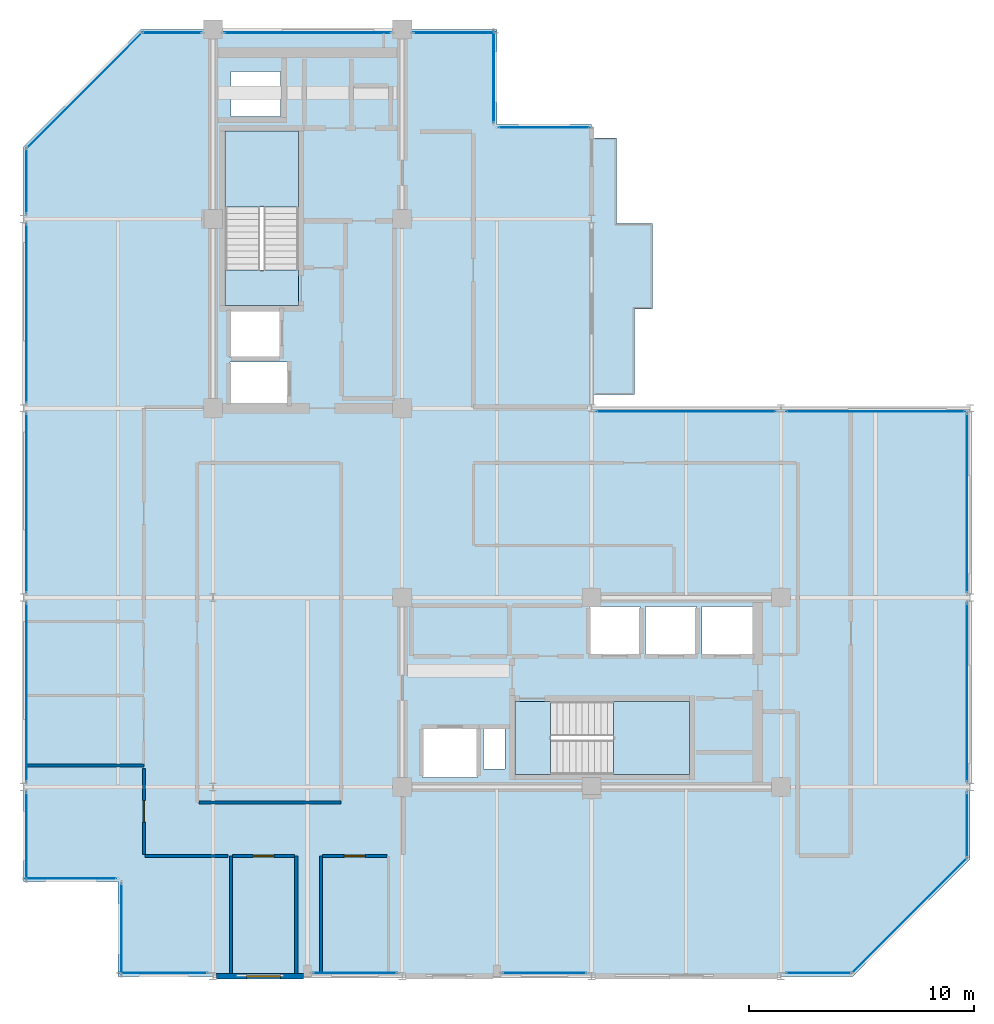
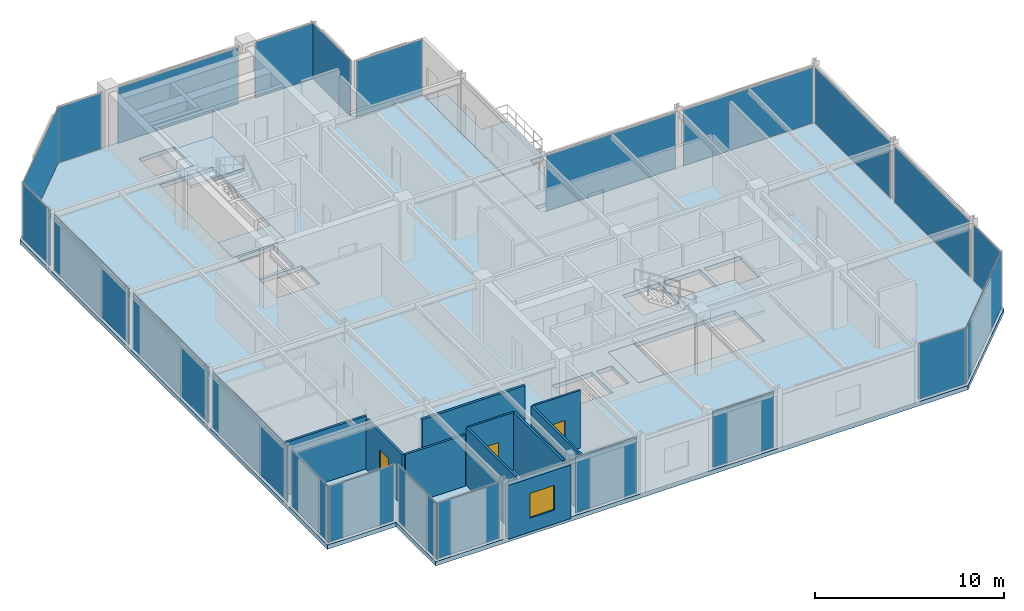
# One storey, part 20 of 26: 23 plates, 10 walls, 6 slabs, 3 doors, 1 window, 4 openings, 25 elements without a shape of their own.
"""IFC4 building model written with IfcOpenShell, lengths in metres."""

from ifc_helpers import new_model, si_unit, direction, frame, frame_2d, origin, origin_2d, place, context, subcontext, project, spatial, polyline, rectangle, outline, extrude, material, layer, layer_set, type_object, element, fill, aggregate, save


model = new_model("IFC4")

# Units and contexts
model_context = context("Model", 3, precision=1e-05, world=origin(), true_north=direction((0.0, 1.0)))
body_context = subcontext(model_context, "Body", "Model", "MODEL_VIEW")
ifc_project = project(units=[si_unit("LENGTHUNIT", "METRE"), si_unit("AREAUNIT", "SQUARE_METRE"), si_unit("VOLUMEUNIT", "CUBIC_METRE"), si_unit("PLANEANGLEUNIT", "RADIAN"), si_unit("MASSUNIT", "GRAM", prefix="KILO")], contexts=[model_context])

# Site, building, storey
site_placement = place(None, origin())
site = spatial("IfcSite", under=ifc_project, at=site_placement, CompositionType="ELEMENT")
building_placement = place(site_placement, origin())
building = spatial("IfcBuilding", under=site, at=building_placement, Name="Nerrivon Quay Data Exchange", CompositionType="ELEMENT")
storey_placement = place(building_placement, frame((0.0, 0.0, 274.199951171875)))
storey = spatial("IfcBuildingStorey", under=building, at=storey_placement, Name="L65", CompositionType="ELEMENT", Elevation=274.199951171875)

# Curtain wall, plate
ifc_material_1 = material(Name="Anodised aluminium 6063-T6", Category="aluminium")
ifc_layer_1 = layer(ifc_material_1, 0.195068359375)
ifc_layer_set_1 = layer_set([ifc_layer_1], Name="Anodised aluminium 6063-T6")
curtain_wall_type = type_object("IfcCurtainWallType", Name="CW-SYS-06", PredefinedType="NOTDEFINED", material=ifc_layer_set_1)
curtain_wall_1_placement = place(storey_placement, origin())
curtain_wall_1 = element("IfcCurtainWall", 1, at=curtain_wall_1_placement, inside=storey, type_object=curtain_wall_type, Name="L65 Unitised Curtain Wall 1", PredefinedType="NOTDEFINED")
ifc_material_2 = material(Name="Double-glazed low-E solar control glass", Category="glass")
ifc_layer_2 = layer(ifc_material_2, 0.028076171875)
ifc_layer_set_2 = layer_set([ifc_layer_2], Name="Double-glazed low-E solar control glass")
plate_type = type_object("IfcPlateType", Name="CWP-GLZ-28", PredefinedType="CURTAIN_PANEL", material=ifc_layer_set_2)
plate_1_placement = place(storey_placement, frame((39.301025390625, 2.698974609375, 0.06494140625), z_axis=(0.0, 0.0, 1.0), x_axis=(-0.707106781187, -0.707106781187, 0.0)))
plate_1 = element("IfcPlate", 2, at=plate_1_placement, type_object=plate_type, Name="CW06 panel 1.1", PredefinedType="CURTAIN_PANEL", context=body_context, shape_type="SweptSolid", body=[
    extrude(rectangle(XDim=7.203857421875, YDim=0.028076171875, at=origin_2d()), origin(), (0.0, 0.0, 1.0), 3.594970703125),
])
aggregate(curtain_wall_1, [plate_1])

curtain_wall_2_placement = place(storey_placement, origin())
curtain_wall_2 = element("IfcCurtainWall", 3, at=curtain_wall_2_placement, inside=storey, type_object=curtain_wall_type, Name="L65 Unitised Curtain Wall 2", PredefinedType="NOTDEFINED")
plate_2_placement = place(storey_placement, frame((35.27783203125, 0.139892578125, 0.06494140625), z_axis=(0.0, 0.0, 1.0), x_axis=(-1.0, 0.0, 0.0)))
plate_2 = element("IfcPlate", 4, at=plate_2_placement, type_object=plate_type, Name="CW06 panel 1.1", PredefinedType="CURTAIN_PANEL", context=body_context, shape_type="SweptSolid", body=[
    extrude(rectangle(XDim=2.89453125, YDim=0.028076171875, at=origin_2d()), origin(), (0.0, 0.0, 1.0), 3.594970703125),
])
aggregate(curtain_wall_2, [plate_2])

curtain_wall_3_placement = place(storey_placement, origin())
curtain_wall_3 = element("IfcCurtainWall", 5, at=curtain_wall_3_placement, inside=storey, type_object=curtain_wall_type, Name="L65 Unitised Curtain Wall 4", PredefinedType="NOTDEFINED")
plate_3_placement = place(storey_placement, frame((23.10986328125, 0.139892578125, 0.06494140625), z_axis=(0.0, 0.0, 1.0), x_axis=(-1.0, 0.0, 0.0)))
plate_3 = element("IfcPlate", 6, at=plate_3_placement, type_object=plate_type, Name="CW06 panel 1.1", PredefinedType="CURTAIN_PANEL", context=body_context, shape_type="SweptSolid", body=[
    extrude(rectangle(XDim=3.719482421875, YDim=0.028076171875, at=origin_2d()), origin(), (0.0, 0.0, 1.0), 3.594970703125),
])
aggregate(curtain_wall_3, [plate_3])

curtain_wall_4_placement = place(storey_placement, origin())
curtain_wall_4 = element("IfcCurtainWall", 7, at=curtain_wall_4_placement, inside=storey, type_object=curtain_wall_type, Name="L65 Unitised Curtain Wall 6", PredefinedType="NOTDEFINED")
plate_4_placement = place(storey_placement, frame((14.709716796875, 0.139892578125, 0.06494140625), z_axis=(0.0, 0.0, 1.0), x_axis=(-1.0, 0.0, 0.0)))
plate_4 = element("IfcPlate", 8, at=plate_4_placement, type_object=plate_type, Name="CW06 panel 1.1", PredefinedType="CURTAIN_PANEL", context=body_context, shape_type="SweptSolid", body=[
    extrude(rectangle(XDim=3.719482421875, YDim=0.028076171875, at=origin_2d()), origin(), (0.0, 0.0, 1.0), 3.594970703125),
])
aggregate(curtain_wall_4, [plate_4])

curtain_wall_5_placement = place(storey_placement, origin())
curtain_wall_5 = element("IfcCurtainWall", 9, at=curtain_wall_5_placement, inside=storey, type_object=curtain_wall_type, Name="L65 Unitised Curtain Wall 8", PredefinedType="NOTDEFINED")
plate_5_placement = place(storey_placement, frame((6.22216796875, 0.139892578125, 0.06494140625), z_axis=(0.0, 0.0, 1.0), x_axis=(-1.0, 0.0, 0.0)))
plate_5 = element("IfcPlate", 10, at=plate_5_placement, type_object=plate_type, Name="CW06 panel 1.1", PredefinedType="CURTAIN_PANEL", context=body_context, shape_type="SweptSolid", body=[
    extrude(rectangle(XDim=3.89453125, YDim=0.028076171875, at=origin_2d()), origin(), (0.0, 0.0, 1.0), 3.594970703125),
])
aggregate(curtain_wall_5, [plate_5])

curtain_wall_6_placement = place(storey_placement, origin())
curtain_wall_6 = element("IfcCurtainWall", 11, at=curtain_wall_6_placement, inside=storey, type_object=curtain_wall_type, Name="L65 Unitised Curtain Wall 9", PredefinedType="NOTDEFINED")
plate_6_placement = place(storey_placement, frame((4.340087890625, 2.10009765625, 0.06494140625), z_axis=(0.0, 0.0, 1.0), x_axis=(0.0, 1.0, 0.0)))
plate_6 = element("IfcPlate", 12, at=plate_6_placement, type_object=plate_type, Name="CW06 panel 1.1", PredefinedType="CURTAIN_PANEL", context=body_context, shape_type="SweptSolid", body=[
    extrude(rectangle(XDim=4.050048828125, YDim=0.028076171875, at=origin_2d()), origin(), (0.0, 0.0, 1.0), 3.594970703125),
])
aggregate(curtain_wall_6, [plate_6])

curtain_wall_7_placement = place(storey_placement, origin())
curtain_wall_7 = element("IfcCurtainWall", 13, at=curtain_wall_7_placement, inside=storey, type_object=curtain_wall_type, Name="L65 Unitised Curtain Wall 10", PredefinedType="NOTDEFINED")
plate_7_placement = place(storey_placement, frame((2.10009765625, 4.340087890625, 0.06494140625), z_axis=(0.0, 0.0, 1.0), x_axis=(-1.0, 0.0, 0.0)))
plate_7 = element("IfcPlate", 14, at=plate_7_placement, type_object=plate_type, Name="CW06 panel 1.1", PredefinedType="CURTAIN_PANEL", context=body_context, shape_type="SweptSolid", body=[
    extrude(rectangle(XDim=4.050048828125, YDim=0.028076171875, at=origin_2d()), origin(), (0.0, 0.0, 1.0), 3.594970703125),
])
aggregate(curtain_wall_7, [plate_7])

curtain_wall_8_placement = place(storey_placement, origin())
curtain_wall_8 = element("IfcCurtainWall", 15, at=curtain_wall_8_placement, inside=storey, type_object=curtain_wall_type, Name="L65 Unitised Curtain Wall 11", PredefinedType="NOTDEFINED")
plate_8_placement = place(storey_placement, frame((0.139892578125, 6.21826171875, 0.06494140625), z_axis=(0.0, 0.0, 1.0), x_axis=(0.0, 1.0, 0.0)))
plate_8 = element("IfcPlate", 16, at=plate_8_placement, type_object=plate_type, Name="CW06 panel 1.1", PredefinedType="CURTAIN_PANEL", context=body_context, shape_type="SweptSolid", body=[
    extrude(rectangle(XDim=3.886474609375, YDim=0.028076171875, at=origin_2d()), origin(), (0.0, 0.0, 1.0), 3.594970703125),
])
aggregate(curtain_wall_8, [plate_8])

curtain_wall_9_placement = place(storey_placement, origin())
curtain_wall_9 = element("IfcCurtainWall", 17, at=curtain_wall_9_placement, inside=storey, type_object=curtain_wall_type, Name="L65 Unitised Curtain Wall 12", PredefinedType="NOTDEFINED")
plate_9_placement = place(storey_placement, frame((0.139892578125, 12.60009765625, 0.06494140625), z_axis=(0.0, 0.0, 1.0), x_axis=(0.0, 1.0, 0.0)))
plate_9 = element("IfcPlate", 18, at=plate_9_placement, type_object=plate_type, Name="CW06 panel 1.1", PredefinedType="CURTAIN_PANEL", context=body_context, shape_type="SweptSolid", body=[
    extrude(rectangle(XDim=7.923095703125, YDim=0.028076171875, at=origin_2d()), origin(), (0.0, 0.0, 1.0), 3.594970703125),
])
aggregate(curtain_wall_9, [plate_9])

curtain_wall_10_placement = place(storey_placement, origin())
curtain_wall_10 = element("IfcCurtainWall", 19, at=curtain_wall_10_placement, inside=storey, type_object=curtain_wall_type, Name="L65 Unitised Curtain Wall 13", PredefinedType="NOTDEFINED")
plate_10_placement = place(storey_placement, frame((0.139892578125, 21.0, 0.06494140625), z_axis=(0.0, 0.0, 1.0), x_axis=(0.0, 1.0, 0.0)))
plate_10 = element("IfcPlate", 20, at=plate_10_placement, type_object=plate_type, Name="CW06 panel 1.1", PredefinedType="CURTAIN_PANEL", context=body_context, shape_type="SweptSolid", body=[
    extrude(rectangle(XDim=7.923095703125, YDim=0.028076171875, at=origin_2d()), origin(), (0.0, 0.0, 1.0), 3.594970703125),
])
aggregate(curtain_wall_10, [plate_10])

curtain_wall_11_placement = place(storey_placement, origin())
curtain_wall_11 = element("IfcCurtainWall", 21, at=curtain_wall_11_placement, inside=storey, type_object=curtain_wall_type, Name="L65 Unitised Curtain Wall 14", PredefinedType="NOTDEFINED")
plate_11_placement = place(storey_placement, frame((0.139892578125, 29.39990234375, 0.06494140625), z_axis=(0.0, 0.0, 1.0), x_axis=(0.0, 1.0, 0.0)))
plate_11 = element("IfcPlate", 22, at=plate_11_placement, type_object=plate_type, Name="CW06 panel 1.1", PredefinedType="CURTAIN_PANEL", context=body_context, shape_type="SweptSolid", body=[
    extrude(rectangle(XDim=7.923095703125, YDim=0.028076171875, at=origin_2d()), origin(), (0.0, 0.0, 1.0), 3.594970703125),
])
aggregate(curtain_wall_11, [plate_11])

curtain_wall_12_placement = place(storey_placement, origin())
curtain_wall_12 = element("IfcCurtainWall", 23, at=curtain_wall_12_placement, inside=storey, type_object=curtain_wall_type, Name="L65 Unitised Curtain Wall 15", PredefinedType="NOTDEFINED")
plate_12_placement = place(storey_placement, frame((0.139892578125, 35.28173828125, 0.06494140625), z_axis=(0.0, 0.0, 1.0), x_axis=(0.0, 1.0, 0.0)))
plate_12 = element("IfcPlate", 24, at=plate_12_placement, type_object=plate_type, Name="CW06 panel 1.1", PredefinedType="CURTAIN_PANEL", context=body_context, shape_type="SweptSolid", body=[
    extrude(rectangle(XDim=2.886474609375, YDim=0.028076171875, at=origin_2d()), origin(), (0.0, 0.0, 1.0), 3.594970703125),
])
aggregate(curtain_wall_12, [plate_12])

curtain_wall_13_placement = place(storey_placement, origin())
curtain_wall_13 = element("IfcCurtainWall", 25, at=curtain_wall_13_placement, inside=storey, type_object=curtain_wall_type, Name="L65 Unitised Curtain Wall 16", PredefinedType="NOTDEFINED")
plate_13_placement = place(storey_placement, frame((2.698974609375, 39.301025390625, 0.06494140625), z_axis=(0.0, 0.0, 1.0), x_axis=(0.707106781187, 0.707106781187, 0.0)))
plate_13 = element("IfcPlate", 26, at=plate_13_placement, type_object=plate_type, Name="CW06 panel 1.1", PredefinedType="CURTAIN_PANEL", context=body_context, shape_type="SweptSolid", body=[
    extrude(rectangle(XDim=7.203857421875, YDim=0.028076171875, at=origin_2d()), origin(), (0.0, 0.0, 1.0), 3.594970703125),
])
aggregate(curtain_wall_13, [plate_13])

curtain_wall_14_placement = place(storey_placement, origin())
curtain_wall_14 = element("IfcCurtainWall", 27, at=curtain_wall_14_placement, inside=storey, type_object=curtain_wall_type, Name="L65 Unitised Curtain Wall 17", PredefinedType="NOTDEFINED")
plate_14_placement = place(storey_placement, frame((6.58740234375, 41.860107421875, 0.06494140625), z_axis=(0.0, 0.0, 1.0), x_axis=(1.0, 0.0, 0.0)))
plate_14 = element("IfcPlate", 28, at=plate_14_placement, type_object=plate_type, Name="CW06 panel 1.1", PredefinedType="CURTAIN_PANEL", context=body_context, shape_type="SweptSolid", body=[
    extrude(rectangle(XDim=2.625, YDim=0.028076171875, at=origin_2d()), origin(), (0.0, 0.0, 1.0), 3.594970703125),
])
aggregate(curtain_wall_14, [plate_14])

curtain_wall_15_placement = place(storey_placement, origin())
curtain_wall_15 = element("IfcCurtainWall", 29, at=curtain_wall_15_placement, inside=storey, type_object=curtain_wall_type, Name="L65 Unitised Curtain Wall 18", PredefinedType="NOTDEFINED")
plate_15_placement = place(storey_placement, frame((12.60009765625, 41.860107421875, 0.06494140625), z_axis=(0.0, 0.0, 1.0), x_axis=(1.0, 0.0, 0.0)))
plate_15 = element("IfcPlate", 30, at=plate_15_placement, type_object=plate_type, Name="CW06 panel 1.1", PredefinedType="CURTAIN_PANEL", context=body_context, shape_type="SweptSolid", body=[
    extrude(rectangle(XDim=7.39990234375, YDim=0.028076171875, at=origin_2d()), origin(), (0.0, 0.0, 1.0), 3.594970703125),
])
aggregate(curtain_wall_15, [plate_15])

curtain_wall_16_placement = place(storey_placement, origin())
curtain_wall_16 = element("IfcCurtainWall", 31, at=curtain_wall_16_placement, inside=storey, type_object=curtain_wall_type, Name="L65 Unitised Curtain Wall 19", PredefinedType="NOTDEFINED")
plate_16_placement = place(storey_placement, frame((19.112548828125, 41.860107421875, 0.06494140625), z_axis=(0.0, 0.0, 1.0), x_axis=(1.0, 0.0, 0.0)))
plate_16 = element("IfcPlate", 32, at=plate_16_placement, type_object=plate_type, Name="CW06 panel 1.1", PredefinedType="CURTAIN_PANEL", context=body_context, shape_type="SweptSolid", body=[
    extrude(rectangle(XDim=3.625, YDim=0.028076171875, at=origin_2d()), origin(), (0.0, 0.0, 1.0), 3.594970703125),
])
aggregate(curtain_wall_16, [plate_16])

curtain_wall_17_placement = place(storey_placement, origin())
curtain_wall_17 = element("IfcCurtainWall", 33, at=curtain_wall_17_placement, inside=storey, type_object=curtain_wall_type, Name="L65 Unitised Curtain Wall 20", PredefinedType="NOTDEFINED")
plate_17_placement = place(storey_placement, frame((20.860107421875, 39.89990234375, 0.06494140625), z_axis=(0.0, 0.0, 1.0), x_axis=(0.0, -1.0, 0.0)))
plate_17 = element("IfcPlate", 34, at=plate_17_placement, type_object=plate_type, Name="CW06 panel 1.1", PredefinedType="CURTAIN_PANEL", context=body_context, shape_type="SweptSolid", body=[
    extrude(rectangle(XDim=4.050048828125, YDim=0.028076171875, at=origin_2d()), origin(), (0.0, 0.0, 1.0), 3.594970703125),
])
aggregate(curtain_wall_17, [plate_17])

curtain_wall_18_placement = place(storey_placement, origin())
curtain_wall_18 = element("IfcCurtainWall", 35, at=curtain_wall_18_placement, inside=storey, type_object=curtain_wall_type, Name="L65 Unitised Curtain Wall 21", PredefinedType="NOTDEFINED")
plate_18_placement = place(storey_placement, frame((23.10009765625, 37.659912109375, 0.06494140625), z_axis=(0.0, 0.0, 1.0), x_axis=(1.0, 0.0, 0.0)))
plate_18 = element("IfcPlate", 36, at=plate_18_placement, type_object=plate_type, Name="CW06 panel 1.1", PredefinedType="CURTAIN_PANEL", context=body_context, shape_type="SweptSolid", body=[
    extrude(rectangle(XDim=4.050048828125, YDim=0.028076171875, at=origin_2d()), origin(), (0.0, 0.0, 1.0), 3.594970703125),
])
aggregate(curtain_wall_18, [plate_18])

curtain_wall_19_placement = place(storey_placement, origin())
curtain_wall_19 = element("IfcCurtainWall", 37, at=curtain_wall_19_placement, inside=storey, type_object=curtain_wall_type, Name="L65 Unitised Curtain Wall 24", PredefinedType="NOTDEFINED")
plate_19_placement = place(storey_placement, frame((29.39990234375, 25.06005859375, 0.06494140625), z_axis=(0.0, 0.0, 1.0), x_axis=(1.0, 0.0, 0.0)))
plate_19 = element("IfcPlate", 38, at=plate_19_placement, type_object=plate_type, Name="CW06 panel 1.1", PredefinedType="CURTAIN_PANEL", context=body_context, shape_type="SweptSolid", body=[
    extrude(rectangle(XDim=7.93896484375, YDim=0.028076171875, at=origin_2d()), origin(), (0.0, 0.0, 1.0), 3.594970703125),
])
aggregate(curtain_wall_19, [plate_19])

curtain_wall_20_placement = place(storey_placement, origin())
curtain_wall_20 = element("IfcCurtainWall", 39, at=curtain_wall_20_placement, inside=storey, type_object=curtain_wall_type, Name="L65 Unitised Curtain Wall 25", PredefinedType="NOTDEFINED")
plate_20_placement = place(storey_placement, frame((37.800048828125, 25.06005859375, 0.06494140625), z_axis=(0.0, 0.0, 1.0), x_axis=(1.0, 0.0, 0.0)))
plate_20 = element("IfcPlate", 40, at=plate_20_placement, type_object=plate_type, Name="CW06 panel 1.1", PredefinedType="CURTAIN_PANEL", context=body_context, shape_type="SweptSolid", body=[
    extrude(rectangle(XDim=7.93896484375, YDim=0.028076171875, at=origin_2d()), origin(), (0.0, 0.0, 1.0), 3.594970703125),
])
aggregate(curtain_wall_20, [plate_20])

curtain_wall_21_placement = place(storey_placement, origin())
curtain_wall_21 = element("IfcCurtainWall", 41, at=curtain_wall_21_placement, inside=storey, type_object=curtain_wall_type, Name="L65 Unitised Curtain Wall 26", PredefinedType="NOTDEFINED")
plate_21_placement = place(storey_placement, frame((41.860107421875, 21.0, 0.06494140625), z_axis=(0.0, 0.0, 1.0), x_axis=(0.0, -1.0, 0.0)))
plate_21 = element("IfcPlate", 42, at=plate_21_placement, type_object=plate_type, Name="CW06 panel 1.1", PredefinedType="CURTAIN_PANEL", context=body_context, shape_type="SweptSolid", body=[
    extrude(rectangle(XDim=7.923095703125, YDim=0.028076171875, at=origin_2d()), origin(), (0.0, 0.0, 1.0), 3.594970703125),
])
aggregate(curtain_wall_21, [plate_21])

curtain_wall_22_placement = place(storey_placement, origin())
curtain_wall_22 = element("IfcCurtainWall", 43, at=curtain_wall_22_placement, inside=storey, type_object=curtain_wall_type, Name="L65 Unitised Curtain Wall 27", PredefinedType="NOTDEFINED")
plate_22_placement = place(storey_placement, frame((41.860107421875, 12.60009765625, 0.06494140625), z_axis=(0.0, 0.0, 1.0), x_axis=(0.0, -1.0, 0.0)))
plate_22 = element("IfcPlate", 44, at=plate_22_placement, type_object=plate_type, Name="CW06 panel 1.1", PredefinedType="CURTAIN_PANEL", context=body_context, shape_type="SweptSolid", body=[
    extrude(rectangle(XDim=7.923095703125, YDim=0.028076171875, at=origin_2d()), origin(), (0.0, 0.0, 1.0), 3.594970703125),
])
aggregate(curtain_wall_22, [plate_22])

curtain_wall_23_placement = place(storey_placement, origin())
curtain_wall_23 = element("IfcCurtainWall", 45, at=curtain_wall_23_placement, inside=storey, type_object=curtain_wall_type, Name="L65 Unitised Curtain Wall 28", PredefinedType="NOTDEFINED")
plate_23_placement = place(storey_placement, frame((41.860107421875, 6.71826171875, 0.06494140625), z_axis=(0.0, 0.0, 1.0), x_axis=(0.0, -1.0, 0.0)))
plate_23 = element("IfcPlate", 46, at=plate_23_placement, type_object=plate_type, Name="CW06 panel 1.1", PredefinedType="CURTAIN_PANEL", context=body_context, shape_type="SweptSolid", body=[
    extrude(rectangle(XDim=2.886474609375, YDim=0.028076171875, at=origin_2d()), origin(), (0.0, 0.0, 1.0), 3.594970703125),
])
aggregate(curtain_wall_23, [plate_23])

# Slab
ifc_material_3 = material(Name="Precast white architectural concrete N50 (50 MPa)", Category="concrete")
ifc_layer_3 = layer(ifc_material_3, 0.25)
ifc_layer_set_3 = layer_set([ifc_layer_3], Name="Precast white architectural concrete N50 (50 MPa)")
slab_type_1 = type_object("IfcSlabType", Name="SLB-BAL-250", PredefinedType="FLOOR", material=ifc_layer_set_3)
slab_1_placement = place(storey_placement, frame((0.0, 0.0, -0.25)))
element("IfcSlab", 47, at=slab_1_placement, inside=storey, type_object=slab_type_1, Name="L65 Waterfront Subtropical Verandah", PredefinedType="FLOOR", context=body_context, shape_type="SweptSolid", body=[
    extrude(outline(polyline([(27.10009765625, 29.60009765625), (27.89990234375, 29.60009765625), (27.89990234375, 33.39990234375), (26.300048828125, 33.39990234375), (26.300048828125, 37.199951171875), (25.199951171875, 37.199951171875), (25.199951171875, 33.39990234375), (25.199951171875, 29.60009765625), (25.199951171875, 25.800048828125), (27.10009765625, 25.800048828125), (27.10009765625, 29.60009765625)])), origin(), (0.0, 0.0, 1.0), 0.25),
])

# Stair, slab
ifc_material_4 = material(Name="Concrete N50 (50 MPa)", Category="concrete")
stair_type = type_object("IfcStairType", Name="STAIR-DOG-40", PredefinedType="HALF_TURN_STAIR", material=ifc_material_4)
stair_1_placement = place(storey_placement, origin())
stair_1 = element("IfcStair", 48, at=stair_1_placement, inside=storey, type_object=stair_type, Name="L65 West Core Fire Stair ST01", PredefinedType="HALF_TURN_STAIR")
ifc_layer_4 = layer(ifc_material_4, 0.199951171875)
ifc_layer_set_4 = layer_set([ifc_layer_4], Name="Concrete N50 (50 MPa)")
slab_type_2 = type_object("IfcSlabType", Name="SLB-LAND-200", PredefinedType="LANDING", material=ifc_layer_set_4)
slab_2_placement = place(storey_placement, frame((0.0, 0.0, 1.800048828125)))
slab_2 = element("IfcSlab", 49, at=slab_2_placement, type_object=slab_type_2, Name="ST01 landing 1", PredefinedType="LANDING", context=body_context, shape_type="SweptSolid", body=[
    extrude(outline(polyline([(12.199951171875, 34.1298828125), (12.199951171875, 37.5), (8.949951171875, 37.5), (8.949951171875, 34.1298828125), (12.199951171875, 34.1298828125)])), origin(), (0.0, 0.0, 1.0), 0.199951171875),
])
aggregate(stair_1, [slab_2])

# Slab
slab_3_placement = place(storey_placement, frame((0.0, 0.0, -0.199951171875)))
element("IfcSlab", 50, at=slab_3_placement, inside=storey, type_object=slab_type_2, Name="L65 ST01 floor landing", PredefinedType="LANDING", context=body_context, shape_type="SweptSolid", body=[
    extrude(outline(polyline([(12.199951171875, 29.75), (12.199951171875, 31.330078125), (8.949951171875, 31.330078125), (8.949951171875, 29.75), (12.199951171875, 29.75)])), origin(), (0.0, 0.0, 1.0), 0.199951171875),
])

# Stair, slab
stair_2_placement = place(storey_placement, origin())
stair_2 = element("IfcStair", 51, at=stair_2_placement, inside=storey, type_object=stair_type, Name="L65 East Core Fire Stair ST02", PredefinedType="HALF_TURN_STAIR")
slab_4_placement = place(storey_placement, frame((0.0, 0.0, 1.800048828125)))
slab_4 = element("IfcSlab", 52, at=slab_4_placement, type_object=slab_type_2, Name="ST02 landing 1", PredefinedType="LANDING", context=body_context, shape_type="SweptSolid", body=[
    extrude(outline(polyline([(26.179931640625, 8.949951171875), (29.550048828125, 8.949951171875), (29.550048828125, 12.199951171875), (26.179931640625, 12.199951171875), (26.179931640625, 8.949951171875)])), origin(), (0.0, 0.0, 1.0), 0.199951171875),
])
aggregate(stair_2, [slab_4])

# Slabs
slab_5_placement = place(storey_placement, frame((0.0, 0.0, -0.199951171875)))
element("IfcSlab", 53, at=slab_5_placement, inside=storey, type_object=slab_type_2, Name="L65 ST02 floor landing", PredefinedType="LANDING", context=body_context, shape_type="SweptSolid", body=[
    extrude(outline(polyline([(21.800048828125, 8.949951171875), (23.3798828125, 8.949951171875), (23.3798828125, 12.199951171875), (21.800048828125, 12.199951171875), (21.800048828125, 8.949951171875)])), origin(), (0.0, 0.0, 1.0), 0.199951171875),
])
ifc_layer_5 = layer(ifc_material_4, 0.27490234375)
ifc_layer_set_5 = layer_set([ifc_layer_5], Name="Concrete N50 (50 MPa)")
slab_type_3 = type_object("IfcSlabType", Name="SLB-TOW-275", PredefinedType="FLOOR", material=ifc_layer_set_5)
slab_6_placement = place(storey_placement, frame((0.0, 0.0, -0.27490234375)))
element("IfcSlab", 54, at=slab_6_placement, inside=storey, type_object=slab_type_3, Name="L65 Primary Structural Slab", PredefinedType="FLOOR", context=body_context, shape_type="SweptSolid", body=[
    extrude(outline(polyline([(42.0, 25.199951171875), (25.199951171875, 25.199951171875), (25.199951171875, 37.800048828125), (21.0, 37.800048828125), (21.0, 42.0), (5.199951171875, 42.0), (0.0, 36.800048828125), (0.0, 4.199951171875), (4.199951171875, 4.199951171875), (4.199951171875, 0.0), (36.800048828125, 0.0), (42.0, 5.199951171875), (42.0, 25.199951171875)]), holes=[polyline([(8.949951171875, 29.75), (8.949951171875, 37.5), (12.199951171875, 37.5), (12.199951171875, 29.75), (8.949951171875, 29.75)]), polyline([(21.800048828125, 12.199951171875), (29.550048828125, 12.199951171875), (29.550048828125, 8.949951171875), (21.800048828125, 8.949951171875), (21.800048828125, 12.199951171875)]), polyline([(30.10009765625, 14.25), (30.10009765625, 16.39990234375), (32.35009765625, 16.39990234375), (32.35009765625, 14.25), (30.10009765625, 14.25)]), polyline([(27.60009765625, 14.25), (27.60009765625, 16.39990234375), (29.85009765625, 16.39990234375), (29.85009765625, 14.25), (27.60009765625, 14.25)]), polyline([(25.10009765625, 14.25), (25.10009765625, 16.39990234375), (27.35009765625, 16.39990234375), (27.35009765625, 14.25), (25.10009765625, 14.25)]), polyline([(20.39990234375, 9.199951171875), (20.39990234375, 11.0), (21.35009765625, 11.0), (21.35009765625, 9.199951171875), (20.39990234375, 9.199951171875)]), polyline([(17.699951171875, 8.830078125), (17.699951171875, 11.030029296875), (20.14990234375, 11.030029296875), (20.14990234375, 8.830078125), (17.699951171875, 8.830078125)]), polyline([(9.14990234375, 25.35009765625), (9.14990234375, 27.25), (11.75, 27.25), (11.75, 25.35009765625), (9.14990234375, 25.35009765625)]), polyline([(9.14990234375, 27.449951171875), (9.14990234375, 29.60009765625), (11.39990234375, 29.60009765625), (11.39990234375, 27.449951171875), (9.14990234375, 27.449951171875)]), polyline([(9.199951171875, 38.14990234375), (9.199951171875, 40.14990234375), (11.39990234375, 40.14990234375), (11.39990234375, 38.14990234375), (9.199951171875, 38.14990234375)])]), origin(), (0.0, 0.0, 1.0), 0.27490234375),
])

# Wall, opening, window
ifc_material_5 = material(Name="Architectural terracotta precast concrete N50 (50 MPa)", Category="masonry")
ifc_layer_6 = layer(ifc_material_5, 0.239990234375)
ifc_layer_set_6 = layer_set([ifc_layer_6], Name="Architectural terracotta precast concrete N50 (50 MPa)")
wall_type_1 = type_object("IfcWallType", Name="EW-PREC-240", PredefinedType="STANDARD", material=ifc_layer_set_6)
wall_1_placement = place(storey_placement, frame((12.425048828125, 0.0, 0.0), z_axis=(0.0, 0.0, 1.0), x_axis=(-1.0, 0.0, 0.0)))
wall_1 = element("IfcWall", 55, at=wall_1_placement, inside=storey, type_object=wall_type_1, Name="L65 Podium Precast Spandrel Wall 7", PredefinedType="STANDARD", context=body_context, shape_type="SweptSolid", body=[
    extrude(rectangle(XDim=3.86962890625, YDim=0.239990234375, at=frame_2d((1.934814453125, 0.0))), origin(), (0.0, 0.0, 1.0), 3.47509765625),
])
opening_1_placement = place(wall_1_placement, frame((1.02490234375, 0.0, 0.89990234375)))
opening_1 = element("IfcOpeningElement", 56, at=opening_1_placement, cuts=wall_1, Name="Opening WN4", PredefinedType="OPENING", context=body_context, shape_type="SweptSolid", body=[
    extrude(rectangle(XDim=1.5, YDim=1.60009765625, at=frame_2d((0.75, 0.800048828125))), frame((0.0, 0.1298828125, 0.0), z_axis=(0.0, -1.0, 0.0), x_axis=(1.0, 0.0, 0.0)), (0.0, 0.0, 1.0), 0.260009765625),
])
window_type = type_object("IfcWindowType", Name="WIN-W4-1500x1600", PartitioningType="SINGLE_PANEL", PredefinedType="WINDOW", material=ifc_material_2)
window_placement = place(opening_1_placement, origin())
window = element("IfcWindow", 57, at=window_placement, inside=storey, type_object=window_type, Name="L65 Solar Facade Window 7", OverallHeight=1.60009765625, OverallWidth=1.5, PartitioningType="SINGLE_PANEL", PredefinedType="WINDOW", context=body_context, shape_type="SweptSolid", body=[
    extrude(rectangle(XDim=1.5, YDim=1.60009765625, at=frame_2d((0.75, 0.800048828125))), frame((0.0, 0.030029296875, 0.0), z_axis=(0.0, -1.0, 0.0), x_axis=(1.0, 0.0, 0.0)), (0.0, 0.0, 1.0), 0.06005859375),
])
fill(opening_1, window)

# Wall, opening, door
ifc_material_6 = material(Name="Gypsum plasterboard on cold-formed framing", Category="gypsum")
ifc_layer_7 = layer(ifc_material_6, 0.1201171875)
ifc_layer_set_7 = layer_set([ifc_layer_7], Name="Gypsum plasterboard on cold-formed framing")
wall_type_2 = type_object("IfcWallType", Name="WALL-PT-120", PredefinedType="PARTITIONING", material=ifc_layer_set_7)
wall_2_placement = place(storey_placement, frame((12.028564453125, 5.340087890625, 0.0), z_axis=(0.0, 0.0, 1.0), x_axis=(-1.0, 0.0, 0.0)))
wall_2 = element("IfcWall", 58, at=wall_2_placement, inside=storey, type_object=wall_type_2, Name="L65 Partition Staff Shower Block", PredefinedType="PARTITIONING", context=body_context, shape_type="SweptSolid", body=[
    extrude(rectangle(XDim=2.757080078125, YDim=0.1201171875, at=frame_2d((1.37841796875, 0.0))), origin(), (0.0, 0.0, 1.0), 3.72509765625),
])
opening_2_placement = place(wall_2_placement, frame((0.91845703125, 0.0, 0.0)))
opening_2 = element("IfcOpeningElement", 59, at=opening_2_placement, cuts=wall_2, Name="Opening D-WC", PredefinedType="OPENING", context=body_context, shape_type="SweptSolid", body=[
    extrude(rectangle(XDim=0.919921875, YDim=2.10009765625, at=frame_2d((0.4599609375, 1.050048828125))), frame((0.0, 0.070068359375, 0.0), z_axis=(0.0, -1.0, 0.0), x_axis=(1.0, 0.0, 0.0)), (0.0, 0.0, 1.0), 0.14013671875),
])
ifc_material_7 = material(Name="Engineered hardwood timber", Category="wood")
door_type_1 = type_object("IfcDoorType", Name="DR-WC-920", OperationType="NOTDEFINED", PredefinedType="DOOR", material=ifc_material_7)
door_1_placement = place(opening_2_placement, origin())
door_1 = element("IfcDoor", 60, at=door_1_placement, inside=storey, type_object=door_type_1, Name="L65 Door Staff Shower Block", OperationType="SINGLE_SWING_RIGHT", OverallHeight=2.10009765625, OverallWidth=0.919921875, PredefinedType="DOOR", context=body_context, shape_type="SweptSolid", body=[
    extrude(rectangle(XDim=0.919921875, YDim=2.10009765625, at=frame_2d((0.4599609375, 1.050048828125))), frame((0.0, 0.02490234375, 0.0), z_axis=(0.0, -1.0, 0.0), x_axis=(1.0, 0.0, 0.0)), (0.0, 0.0, 1.0), 0.050048828125),
])
fill(opening_2, door_1)

wall_3_placement = place(storey_placement, frame((16.12841796875, 5.340087890625, 0.0), z_axis=(0.0, 0.0, 1.0), x_axis=(-1.0, 0.0, 0.0)))
wall_3 = element("IfcWall", 61, at=wall_3_placement, inside=storey, type_object=wall_type_2, Name="L65 Partition Accessible Unisex Toilet", PredefinedType="PARTITIONING", context=body_context, shape_type="SweptSolid", body=[
    extrude(rectangle(XDim=2.85693359375, YDim=0.1201171875, at=frame_2d((1.428466796875, 0.0))), origin(), (0.0, 0.0, 1.0), 3.72509765625),
])
opening_3_placement = place(wall_3_placement, frame((0.968505859375, 0.0, 0.0)))
opening_3 = element("IfcOpeningElement", 62, at=opening_3_placement, cuts=wall_3, Name="Opening D-WC", PredefinedType="OPENING", context=body_context, shape_type="SweptSolid", body=[
    extrude(rectangle(XDim=0.919921875, YDim=2.10009765625, at=frame_2d((0.4599609375, 1.050048828125))), frame((0.0, 0.070068359375, 0.0), z_axis=(0.0, -1.0, 0.0), x_axis=(1.0, 0.0, 0.0)), (0.0, 0.0, 1.0), 0.14013671875),
])
door_2_placement = place(opening_3_placement, origin())
door_2 = element("IfcDoor", 63, at=door_2_placement, inside=storey, type_object=door_type_1, Name="L65 Door Accessible Unisex Toilet", OperationType="SINGLE_SWING_LEFT", OverallHeight=2.10009765625, OverallWidth=0.919921875, PredefinedType="DOOR", context=body_context, shape_type="SweptSolid", body=[
    extrude(rectangle(XDim=0.919921875, YDim=2.10009765625, at=frame_2d((0.4599609375, 1.050048828125))), frame((0.0, 0.02490234375, 0.0), z_axis=(0.0, -1.0, 0.0), x_axis=(1.0, 0.0, 0.0)), (0.0, 0.0, 1.0), 0.050048828125),
])
fill(opening_3, door_2)

# Walls
ifc_layer_8 = layer(ifc_material_6, 0.135009765625)
ifc_layer_set_8 = layer_set([ifc_layer_8], Name="Gypsum plasterboard on cold-formed framing")
wall_type_3 = type_object("IfcWallType", Name="WALL-PT-135", PredefinedType="PARTITIONING", material=ifc_layer_set_8)
wall_4_placement = place(storey_placement, frame((0.1689453125, 9.35009765625, 0.0), z_axis=(0.0, 0.0, 1.0), x_axis=(1.0, 0.0, 0.0)))
element("IfcWall", 64, at=wall_4_placement, inside=storey, type_object=wall_type_3, Name="L65 Partition Accessible Toilet", PredefinedType="PARTITIONING", context=body_context, shape_type="SweptSolid", body=[
    extrude(rectangle(XDim=5.171142578125, YDim=0.135009765625, at=frame_2d((2.58544921875, 0.0))), origin(), (0.0, 0.0, 1.0), 3.421142578125),
])
for number, where, z_axis, x_axis, name in (
    (65, (9.199951171875, 5.340087890625, 0.0), (0.0, 0.0, 1.0), (0.0, -1.0, 0.0), "L65 Partition Staff Shower Block"),
    (66, (12.10009765625, 0.1240234375, 0.0), (0.0, 0.0, 1.0), (0.0, 1.0, 0.0), "L65 Partition Staff Shower Block"),
):
    element("IfcWall", number, at=place(storey_placement, frame(where, z_axis=z_axis, x_axis=x_axis)), inside=storey, type_object=wall_type_3, Name=name, PredefinedType="PARTITIONING", context=body_context, shape_type="SweptSolid", body=[
        extrude(rectangle(XDim=5.216064453125, YDim=0.135009765625, at=frame_2d((2.60791015625, 0.0))), origin(), (0.0, 0.0, 1.0), 3.72509765625),
    ])
wall_5_placement = place(storey_placement, frame((13.199951171875, 5.340087890625, 0.0), z_axis=(0.0, 0.0, 1.0), x_axis=(0.0, -1.0, 0.0)))
element("IfcWall", 67, at=wall_5_placement, inside=storey, type_object=wall_type_3, Name="L65 Partition Accessible Unisex Toilet", PredefinedType="PARTITIONING", context=body_context, shape_type="SweptSolid", body=[
    extrude(rectangle(XDim=5.171142578125, YDim=0.135009765625, at=frame_2d((2.58544921875, 0.0))), origin(), (0.0, 0.0, 1.0), 3.72509765625),
])
wall_6_placement = place(storey_placement, frame((9.080078125, 5.340087890625, 0.0), z_axis=(0.0, 0.0, 1.0), x_axis=(-1.0, 0.0, 0.0)))
element("IfcWall", 68, at=wall_6_placement, inside=storey, type_object=wall_type_3, Name="L65 Partition Staff Pantry", PredefinedType="PARTITIONING", context=body_context, shape_type="SweptSolid", body=[
    extrude(rectangle(XDim=3.68017578125, YDim=0.135009765625, at=frame_2d((1.840087890625, 0.0))), origin(), (0.0, 0.0, 1.0), 3.319091796875),
])

# Wall, opening, door
wall_7_placement = place(storey_placement, frame((5.340087890625, 5.39990234375, 0.0), z_axis=(0.0, 0.0, 1.0), x_axis=(0.0, 1.0, 0.0)))
wall_7 = element("IfcWall", 69, at=wall_7_placement, inside=storey, type_object=wall_type_3, Name="L65 Partition Staff Pantry", PredefinedType="PARTITIONING", context=body_context, shape_type="SweptSolid", body=[
    extrude(rectangle(XDim=3.830078125, YDim=0.135009765625, at=frame_2d((1.9150390625, 0.0))), origin(), (0.0, 0.0, 1.0), 3.27099609375),
])
opening_4_placement = place(wall_7_placement, frame((1.43994140625, 0.0, 0.0)))
opening_4 = element("IfcOpeningElement", 70, at=opening_4_placement, cuts=wall_7, Name="Opening D-01", PredefinedType="OPENING", context=body_context, shape_type="SweptSolid", body=[
    extrude(rectangle(XDim=0.949951171875, YDim=2.14990234375, at=frame_2d((0.47509765625, 1.074951171875))), frame((0.0, 0.077392578125, 0.0), z_axis=(0.0, -1.0, 0.0), x_axis=(1.0, 0.0, 0.0)), (0.0, 0.0, 1.0), 0.155029296875),
])
door_type_2 = type_object("IfcDoorType", Name="DR-INT-950", OperationType="NOTDEFINED", PredefinedType="DOOR", material=ifc_material_7)
door_3_placement = place(opening_4_placement, origin())
door_3 = element("IfcDoor", 71, at=door_3_placement, inside=storey, type_object=door_type_2, Name="L65 Door Staff Pantry", OperationType="SINGLE_SWING_RIGHT", OverallHeight=2.14990234375, OverallWidth=0.949951171875, PredefinedType="DOOR", context=body_context, shape_type="SweptSolid", body=[
    extrude(rectangle(XDim=0.949951171875, YDim=2.14990234375, at=frame_2d((0.47509765625, 1.074951171875))), frame((0.0, 0.02490234375, 0.0), z_axis=(0.0, -1.0, 0.0), x_axis=(1.0, 0.0, 0.0)), (0.0, 0.0, 1.0), 0.050048828125),
])
fill(opening_4, door_3)

# Wall
ifc_layer_9 = layer(ifc_material_6, 0.14990234375)
ifc_layer_set_9 = layer_set([ifc_layer_9], Name="Gypsum plasterboard on cold-formed framing")
wall_type_4 = type_object("IfcWallType", Name="WALL-PT-150", PredefinedType="PARTITIONING", material=ifc_layer_set_9)
wall_8_placement = place(storey_placement, frame((7.7890625, 7.7099609375, 0.0), z_axis=(0.0, 0.0, 1.0), x_axis=(1.0, 0.0, 0.0)))
element("IfcWall", 72, at=wall_8_placement, inside=storey, type_object=wall_type_4, Name="L65 Partition Staff Bistro", PredefinedType="PARTITIONING", context=body_context, shape_type="SweptSolid", body=[
    extrude(rectangle(XDim=6.301025390625, YDim=0.14990234375, at=frame_2d((3.150390625, 0.0))), origin(), (0.0, 0.0, 1.0), 3.319091796875),
])

save(model, "model.ifc")
